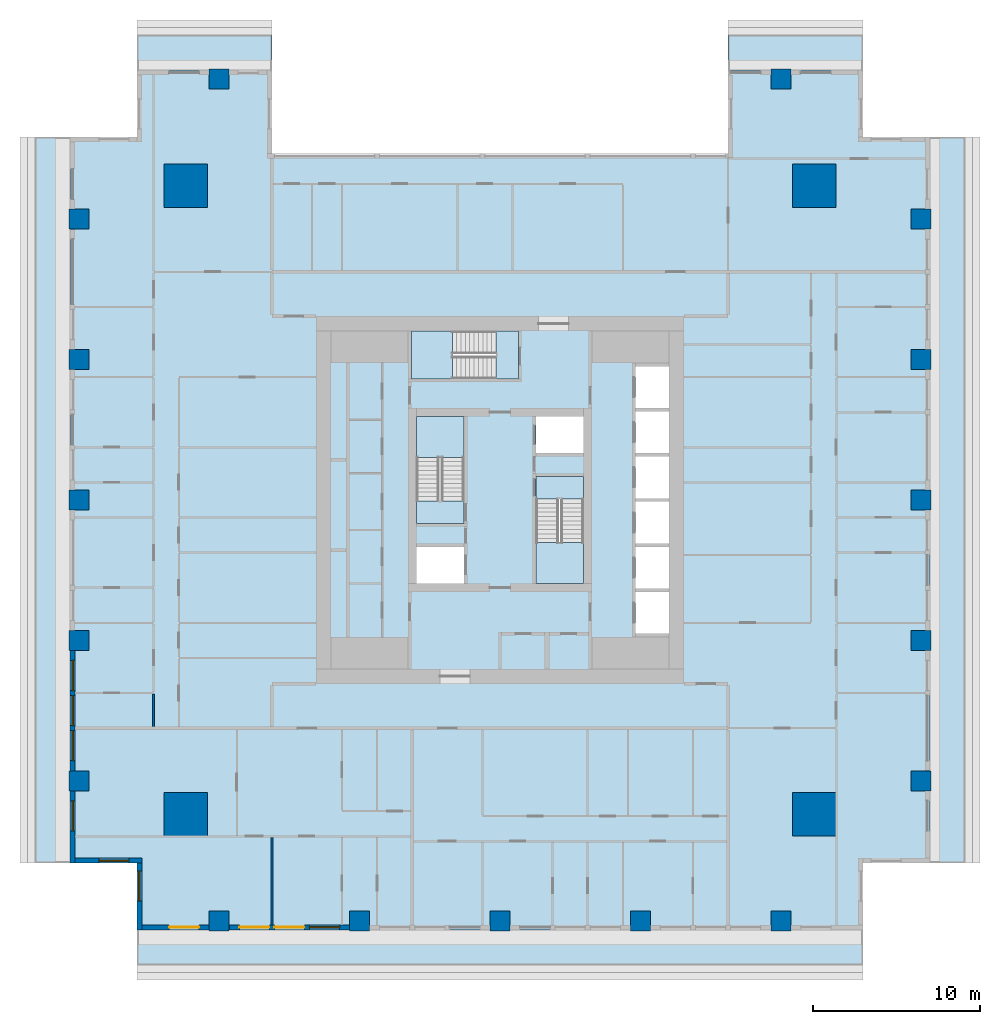
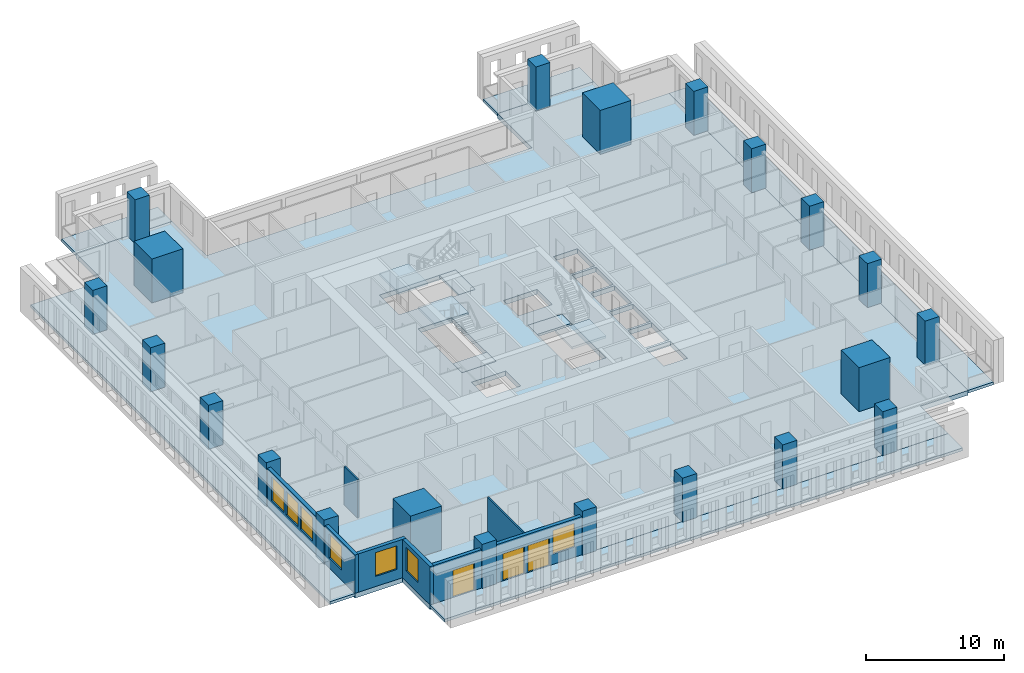
# One storey, part 1 of 16: 21 columns, 12 slabs, 8 walls, 7 windows, 3 doors, 10 openings, 3 elements without a shape of their own.
"""IFC4 building model written with IfcOpenShell, lengths in metres."""

from ifc_helpers import new_model, si_unit, direction, frame, frame_2d, origin, origin_2d, place, context, subcontext, project, spatial, polyline, rectangle, outline, extrude, material, layer, layer_set, material_profile, profile_set, type_object, element, fill, aggregate, save


model = new_model("IFC4")

# Units and contexts
model_context = context("Model", 3, precision=1e-05, world=origin(), true_north=direction((0.0, 1.0)))
body_context = subcontext(model_context, "Body", "Model", "MODEL_VIEW")
ifc_project = project(units=[si_unit("LENGTHUNIT", "METRE"), si_unit("AREAUNIT", "SQUARE_METRE"), si_unit("VOLUMEUNIT", "CUBIC_METRE"), si_unit("PLANEANGLEUNIT", "RADIAN"), si_unit("MASSUNIT", "GRAM", prefix="KILO")], contexts=[model_context])

# Site, building, storey
site_placement = place(None, origin())
site = spatial("IfcSite", under=ifc_project, at=site_placement, CompositionType="ELEMENT")
building_placement = place(site_placement, origin())
building = spatial("IfcBuilding", under=site, at=building_placement, Name="Khepri Terraces", CompositionType="ELEMENT")
storey_placement = place(building_placement, frame((0.0, 0.0, 176.699951171875)))
storey = spatial("IfcBuildingStorey", under=building, at=storey_placement, Name="L42", CompositionType="ELEMENT", Elevation=176.699951171875)

# Columns
ifc_material_1 = material(Name="Concrete C60/75", Category="concrete")
ifc_material_profile_1 = material_profile(ifc_material_1, rectangle(XDim=2.60009765625, YDim=2.60009765625, at=origin_2d()), Name="Concrete C60/75", Category="concrete")
ifc_profile_set_1 = profile_set([ifc_material_profile_1], Name="Concrete C60/75")
column_type_1 = type_object("IfcColumnType", Name="Mega column RC 2600x2600 C60/75", PredefinedType="COLUMN", material=ifc_profile_set_1)
for number, where, z_axis, x_axis, name in (
    (1, (18.800048828125, 18.800048828125, 0.0), (0.0, 0.0, 1.0), (1.0, 0.0, 0.0), "Mega column MEN L42"),
    (2, (18.800048828125, -18.800048828125, 0.0), (0.0, 0.0, 1.0), (1.0, 0.0, 0.0), "Mega column MES L42"),
    (3, (-18.800048828125, 18.800048828125, 0.0), (0.0, 0.0, 1.0), (1.0, 0.0, 0.0), "Mega column MWN L42"),
    (4, (-18.800048828125, -18.800048828125, 0.0), (0.0, 0.0, 1.0), (1.0, 0.0, 0.0), "Mega column MWS L42"),
):
    element("IfcColumn", number, at=place(storey_placement, frame(where, z_axis=z_axis, x_axis=x_axis)), inside=storey, type_object=column_type_1, Name=name, PredefinedType="COLUMN", context=body_context, shape_type="SweptSolid", body=[
        extrude(rectangle(XDim=2.60009765625, YDim=2.60009765625, at=origin_2d()), origin(), (0.0, 0.0, 1.0), 3.900146484375),
    ])
ifc_material_profile_2 = material_profile(ifc_material_1, rectangle(XDim=1.199951171875, YDim=1.199951171875, at=origin_2d()), Name="Concrete C60/75", Category="concrete")
ifc_profile_set_2 = profile_set([ifc_material_profile_2], Name="Concrete C60/75")
column_type_2 = type_object("IfcColumnType", Name="Tower column RC 1200x1200 C60/75", PredefinedType="COLUMN", material=ifc_profile_set_2)
for number, where, z_axis, x_axis, name in (
    (5, (25.199951171875, 0.0, 0.0), (0.0, 0.0, 1.0), (1.0, 0.0, 0.0), "Perimeter column PE+000a L42"),
    (6, (25.199951171875, 8.39990234375, 0.0), (0.0, 0.0, 1.0), (1.0, 0.0, 0.0), "Perimeter column PE+084a L42"),
    (7, (25.199951171875, 16.800048828125, 0.0), (0.0, 0.0, 1.0), (1.0, 0.0, 0.0), "Perimeter column PE+168a L42"),
    (8, (25.199951171875, -8.39990234375, 0.0), (0.0, 0.0, 1.0), (1.0, 0.0, 0.0), "Perimeter column PE-084a L42"),
    (9, (25.199951171875, -16.800048828125, 0.0), (0.0, 0.0, 1.0), (1.0, 0.0, 0.0), "Perimeter column PE-168a L42"),
    (10, (-16.800048828125, 25.199951171875, 0.0), (0.0, 0.0, 1.0), (1.0, 0.0, 0.0), "Perimeter column PN+168a L42"),
    (11, (16.800048828125, 25.199951171875, 0.0), (0.0, 0.0, 1.0), (1.0, 0.0, 0.0), "Perimeter column PN-168a L42"),
    (12, (0.0, -25.199951171875, 0.0), (0.0, 0.0, 1.0), (1.0, 0.0, 0.0), "Perimeter column PS+000b L42"),
    (13, (8.39990234375, -25.199951171875, 0.0), (0.0, 0.0, 1.0), (1.0, 0.0, 0.0), "Perimeter column PS+084b L42"),
    (14, (16.800048828125, -25.199951171875, 0.0), (0.0, 0.0, 1.0), (1.0, 0.0, 0.0), "Perimeter column PS+168a L42"),
    (15, (-8.39990234375, -25.199951171875, 0.0), (0.0, 0.0, 1.0), (1.0, 0.0, 0.0), "Perimeter column PS-084b L42"),
    (16, (-16.800048828125, -25.199951171875, 0.0), (0.0, 0.0, 1.0), (1.0, 0.0, 0.0), "Perimeter column PS-168a L42"),
    (17, (-25.199951171875, 0.0, 0.0), (0.0, 0.0, 1.0), (1.0, 0.0, 0.0), "Perimeter column PW+000b L42"),
    (18, (-25.199951171875, -8.39990234375, 0.0), (0.0, 0.0, 1.0), (1.0, 0.0, 0.0), "Perimeter column PW+084b L42"),
    (19, (-25.199951171875, -16.800048828125, 0.0), (0.0, 0.0, 1.0), (1.0, 0.0, 0.0), "Perimeter column PW+168a L42"),
    (20, (-25.199951171875, 8.39990234375, 0.0), (0.0, 0.0, 1.0), (1.0, 0.0, 0.0), "Perimeter column PW-084b L42"),
    (21, (-25.199951171875, 16.800048828125, 0.0), (0.0, 0.0, 1.0), (1.0, 0.0, 0.0), "Perimeter column PW-168a L42"),
):
    element("IfcColumn", number, at=place(storey_placement, frame(where, z_axis=z_axis, x_axis=x_axis)), inside=storey, type_object=column_type_2, Name=name, PredefinedType="COLUMN", context=body_context, shape_type="SweptSolid", body=[
        extrude(rectangle(XDim=1.199951171875, YDim=1.199951171875, at=origin_2d()), origin(), (0.0, 0.0, 1.0), 3.900146484375),
    ])

# Slabs
ifc_material_2 = material(Name="Concrete C40/50", Category="concrete")
ifc_layer_1 = layer(ifc_material_2, 0.419921875, Name="Concrete C40/50", Category="concrete")
ifc_layer_set_1 = layer_set([ifc_layer_1], Name="Concrete C40/50")
slab_type_1 = type_object("IfcSlabType", Name="Flat plate 420", PredefinedType="FLOOR", material=ifc_layer_set_1)
slab_1_placement = place(storey_placement, frame((0.0, 0.0, -0.419921875)))
element("IfcSlab", 22, at=slab_1_placement, inside=storey, type_object=slab_type_1, Name="Floor slab F01 L42", PredefinedType="FLOOR", context=body_context, shape_type="SweptSolid", body=[
    extrude(outline(polyline([(13.64990234375, 25.719970703125), (21.719970703125, 25.719970703125), (21.719970703125, 21.719970703125), (25.719970703125, 21.719970703125), (25.719970703125, -21.719970703125), (21.719970703125, -21.719970703125), (21.719970703125, -25.719970703125), (-21.719970703125, -25.719970703125), (-21.719970703125, -21.719970703125), (-25.719970703125, -21.719970703125), (-25.719970703125, 21.719970703125), (-21.719970703125, 21.719970703125), (-21.719970703125, 25.719970703125), (-13.64990234375, 25.719970703125), (-13.64990234375, 20.719970703125), (13.64990234375, 20.719970703125), (13.64990234375, 25.719970703125)]), holes=[polyline([(2.14990234375, 2.800048828125), (5.0, 2.800048828125), (5.0, 5.0), (2.14990234375, 5.0), (2.14990234375, 2.800048828125)]), polyline([(-5.0, -2.800048828125), (-5.0, -5.0), (-2.14990234375, -5.0), (-2.14990234375, -2.800048828125), (-5.0, -2.800048828125)]), polyline([(10.10009765625, -5.5), (8.10009765625, -5.5), (8.10009765625, -8.0), (10.10009765625, -8.0), (10.10009765625, -5.5)]), polyline([(10.10009765625, -5.300048828125), (10.10009765625, -2.800048828125), (8.10009765625, -2.800048828125), (8.10009765625, -5.300048828125), (10.10009765625, -5.300048828125)]), polyline([(8.10009765625, -2.60009765625), (10.10009765625, -2.60009765625), (10.10009765625, -0.10009765625), (8.10009765625, -0.10009765625), (8.10009765625, -2.60009765625)]), polyline([(8.10009765625, 2.60009765625), (8.10009765625, 0.10009765625), (10.10009765625, 0.10009765625), (10.10009765625, 2.60009765625), (8.10009765625, 2.60009765625)]), polyline([(10.10009765625, 5.300048828125), (8.10009765625, 5.300048828125), (8.10009765625, 2.800048828125), (10.10009765625, 2.800048828125), (10.10009765625, 5.300048828125)]), polyline([(10.10009765625, 5.5), (10.10009765625, 8.0), (8.10009765625, 8.0), (8.10009765625, 5.5), (10.10009765625, 5.5)]), polyline([(-5.0, -1.39990234375), (-2.14990234375, -1.39990234375), (-2.14990234375, 5.0), (-5.0, 5.0), (-5.0, -1.39990234375)]), polyline([(5.0, -5.0), (5.0, 1.39990234375), (2.14990234375, 1.39990234375), (2.14990234375, -5.0), (5.0, -5.0)]), polyline([(-5.300048828125, 10.10009765625), (-5.300048828125, 7.25), (1.10009765625, 7.25), (1.10009765625, 10.10009765625), (-5.300048828125, 10.10009765625)])]), origin(), (0.0, 0.0, 1.0), 0.419921875),
])
ifc_material_3 = material(Name="Precast concrete C50/60 warm stone", Category="masonry")
ifc_layer_2 = layer(ifc_material_3, 0.25, Name="Precast concrete C50/60 warm stone", Category="masonry")
ifc_layer_set_2 = layer_set([ifc_layer_2], Name="Precast concrete C50/60 warm stone")
slab_type_2 = type_object("IfcSlabType", Name="SLB-BALCONY-250", PredefinedType="FLOOR", material=ifc_layer_set_2)
slab_2_placement = place(storey_placement, frame((0.0, 0.0, -0.25)))
element("IfcSlab", 23, at=slab_2_placement, inside=storey, type_object=slab_type_2, Name="Balcony slab L42 S", PredefinedType="FLOOR", context=body_context, shape_type="SweptSolid", body=[
    extrude(outline(polyline([(-17.39990234375, -25.719970703125), (-21.719970703125, -25.719970703125), (-21.719970703125, -27.820068359375), (21.719970703125, -27.820068359375), (21.719970703125, -25.719970703125), (17.39990234375, -25.719970703125), (17.39990234375, -25.800048828125), (16.199951171875, -25.800048828125), (16.199951171875, -25.719970703125), (9.0, -25.719970703125), (9.0, -25.800048828125), (7.800048828125, -25.800048828125), (7.800048828125, -25.719970703125), (0.60009765625, -25.719970703125), (0.60009765625, -25.800048828125), (-0.60009765625, -25.800048828125), (-0.60009765625, -25.719970703125), (-7.800048828125, -25.719970703125), (-7.800048828125, -25.800048828125), (-9.0, -25.800048828125), (-9.0, -25.719970703125), (-16.199951171875, -25.719970703125), (-16.199951171875, -25.800048828125), (-17.39990234375, -25.800048828125), (-17.39990234375, -25.719970703125)])), origin(), (0.0, 0.0, 1.0), 0.25),
])
slab_3_placement = place(storey_placement, frame((0.0, 0.0, -0.25)))
element("IfcSlab", 24, at=slab_3_placement, inside=storey, type_object=slab_type_2, Name="Balcony slab L42 E", PredefinedType="FLOOR", context=body_context, shape_type="SweptSolid", body=[
    extrude(outline(polyline([(25.719970703125, -17.39990234375), (25.719970703125, -21.719970703125), (27.820068359375, -21.719970703125), (27.820068359375, 21.719970703125), (25.719970703125, 21.719970703125), (25.719970703125, 17.39990234375), (25.800048828125, 17.39990234375), (25.800048828125, 16.199951171875), (25.719970703125, 16.199951171875), (25.719970703125, 9.0), (25.800048828125, 9.0), (25.800048828125, 7.800048828125), (25.719970703125, 7.800048828125), (25.719970703125, 0.60009765625), (25.800048828125, 0.60009765625), (25.800048828125, -0.60009765625), (25.719970703125, -0.60009765625), (25.719970703125, -7.800048828125), (25.800048828125, -7.800048828125), (25.800048828125, -9.0), (25.719970703125, -9.0), (25.719970703125, -16.199951171875), (25.800048828125, -16.199951171875), (25.800048828125, -17.39990234375), (25.719970703125, -17.39990234375)])), origin(), (0.0, 0.0, 1.0), 0.25),
])
slab_4_placement = place(storey_placement, frame((0.0, 0.0, -0.25)))
element("IfcSlab", 25, at=slab_4_placement, inside=storey, type_object=slab_type_2, Name="Balcony slab L42 N", PredefinedType="FLOOR", context=body_context, shape_type="SweptSolid", body=[
    extrude(outline(polyline([(17.39990234375, 25.719970703125), (21.719970703125, 25.719970703125), (21.719970703125, 27.820068359375), (13.64990234375, 27.820068359375), (13.64990234375, 25.719970703125), (16.199951171875, 25.719970703125), (16.199951171875, 25.800048828125), (17.39990234375, 25.800048828125), (17.39990234375, 25.719970703125)])), origin(), (0.0, 0.0, 1.0), 0.25),
])
slab_5_placement = place(storey_placement, frame((0.0, 0.0, -0.25)))
element("IfcSlab", 26, at=slab_5_placement, inside=storey, type_object=slab_type_2, Name="Balcony slab L42 N", PredefinedType="FLOOR", context=body_context, shape_type="SweptSolid", body=[
    extrude(outline(polyline([(-16.199951171875, 25.719970703125), (-13.64990234375, 25.719970703125), (-13.64990234375, 27.820068359375), (-21.719970703125, 27.820068359375), (-21.719970703125, 25.719970703125), (-17.39990234375, 25.719970703125), (-17.39990234375, 25.800048828125), (-16.199951171875, 25.800048828125), (-16.199951171875, 25.719970703125)])), origin(), (0.0, 0.0, 1.0), 0.25),
])
slab_6_placement = place(storey_placement, frame((0.0, 0.0, -0.25)))
element("IfcSlab", 27, at=slab_6_placement, inside=storey, type_object=slab_type_2, Name="Balcony slab L42 W", PredefinedType="FLOOR", context=body_context, shape_type="SweptSolid", body=[
    extrude(outline(polyline([(-25.719970703125, 17.39990234375), (-25.719970703125, 21.719970703125), (-27.820068359375, 21.719970703125), (-27.820068359375, -21.719970703125), (-25.719970703125, -21.719970703125), (-25.719970703125, -17.39990234375), (-25.800048828125, -17.39990234375), (-25.800048828125, -16.199951171875), (-25.719970703125, -16.199951171875), (-25.719970703125, -9.0), (-25.800048828125, -9.0), (-25.800048828125, -7.800048828125), (-25.719970703125, -7.800048828125), (-25.719970703125, -0.60009765625), (-25.800048828125, -0.60009765625), (-25.800048828125, 0.60009765625), (-25.719970703125, 0.60009765625), (-25.719970703125, 7.800048828125), (-25.800048828125, 7.800048828125), (-25.800048828125, 9.0), (-25.719970703125, 9.0), (-25.719970703125, 16.199951171875), (-25.800048828125, 16.199951171875), (-25.800048828125, 17.39990234375), (-25.719970703125, 17.39990234375)])), origin(), (0.0, 0.0, 1.0), 0.25),
])

# Stair, slabs
stair_type = type_object("IfcStairType", Name="STAIR-RC-22R", PredefinedType="HALF_TURN_STAIR", material=ifc_material_2)
stair_1_placement = place(storey_placement, origin())
stair_1 = element("IfcStair", 28, at=stair_1_placement, inside=storey, type_object=stair_type, Name="L42 Exit Stair ST-1", PredefinedType="HALF_TURN_STAIR")
ifc_layer_3 = layer(ifc_material_2, 0.199951171875, Name="Concrete C40/50", Category="concrete")
ifc_layer_set_3 = layer_set([ifc_layer_3], Name="Concrete C40/50")
slab_type_3 = type_object("IfcSlabType", Name="SLB-CORE-LANDING", PredefinedType="LANDING", material=ifc_layer_set_3)
slab_7_placement = place(storey_placement, frame((0.0, 0.0, -0.199951171875)))
slab_7 = element("IfcSlab", 29, at=slab_7_placement, type_object=slab_type_3, Name="ST-1 landing 1", PredefinedType="LANDING", context=body_context, shape_type="SweptSolid", body=[
    extrude(outline(polyline([(-2.14990234375, -1.39990234375), (-2.14990234375, -0.050048828125), (-5.0, -0.050048828125), (-5.0, -1.39990234375), (-2.14990234375, -1.39990234375)])), origin(), (0.0, 0.0, 1.0), 0.199951171875),
])
slab_8_placement = place(storey_placement, frame((0.0, 0.0, 1.75)))
slab_8 = element("IfcSlab", 30, at=slab_8_placement, type_object=slab_type_3, Name="ST-1 landing 2", PredefinedType="LANDING", context=body_context, shape_type="SweptSolid", body=[
    extrude(outline(polyline([(-2.14990234375, 2.550048828125), (-2.14990234375, 5.0), (-5.0, 5.0), (-5.0, 2.550048828125), (-2.14990234375, 2.550048828125)])), origin(), (0.0, 0.0, 1.0), 0.199951171875),
])
aggregate(stair_1, [slab_7, slab_8])

stair_2_placement = place(storey_placement, origin())
stair_2 = element("IfcStair", 31, at=stair_2_placement, inside=storey, type_object=stair_type, Name="L42 Exit Stair ST-2", PredefinedType="HALF_TURN_STAIR")
slab_9_placement = place(storey_placement, frame((0.0, 0.0, -0.199951171875)))
slab_9 = element("IfcSlab", 32, at=slab_9_placement, type_object=slab_type_3, Name="ST-2 landing 1", PredefinedType="LANDING", context=body_context, shape_type="SweptSolid", body=[
    extrude(outline(polyline([(2.14990234375, 1.39990234375), (2.14990234375, 0.050048828125), (5.0, 0.050048828125), (5.0, 1.39990234375), (2.14990234375, 1.39990234375)])), origin(), (0.0, 0.0, 1.0), 0.199951171875),
])
slab_10_placement = place(storey_placement, frame((0.0, 0.0, 1.75)))
slab_10 = element("IfcSlab", 33, at=slab_10_placement, type_object=slab_type_3, Name="ST-2 landing 2", PredefinedType="LANDING", context=body_context, shape_type="SweptSolid", body=[
    extrude(outline(polyline([(2.14990234375, -2.550048828125), (2.14990234375, -5.0), (5.0, -5.0), (5.0, -2.550048828125), (2.14990234375, -2.550048828125)])), origin(), (0.0, 0.0, 1.0), 0.199951171875),
])
aggregate(stair_2, [slab_9, slab_10])

stair_3_placement = place(storey_placement, origin())
stair_3 = element("IfcStair", 34, at=stair_3_placement, inside=storey, type_object=stair_type, Name="L42 Exit Stair ST-3", PredefinedType="HALF_TURN_STAIR")
slab_11_placement = place(storey_placement, frame((0.0, 0.0, -0.199951171875)))
slab_11 = element("IfcSlab", 35, at=slab_11_placement, type_object=slab_type_3, Name="ST-3 landing 1", PredefinedType="LANDING", context=body_context, shape_type="SweptSolid", body=[
    extrude(outline(polyline([(1.10009765625, 10.10009765625), (-0.25, 10.10009765625), (-0.25, 7.25), (1.10009765625, 7.25), (1.10009765625, 10.10009765625)])), origin(), (0.0, 0.0, 1.0), 0.199951171875),
])
slab_12_placement = place(storey_placement, frame((0.0, 0.0, 1.75)))
slab_12 = element("IfcSlab", 36, at=slab_12_placement, type_object=slab_type_3, Name="ST-3 landing 2", PredefinedType="LANDING", context=body_context, shape_type="SweptSolid", body=[
    extrude(outline(polyline([(-2.85009765625, 10.10009765625), (-5.300048828125, 10.10009765625), (-5.300048828125, 7.25), (-2.85009765625, 7.25), (-2.85009765625, 10.10009765625)])), origin(), (0.0, 0.0, 1.0), 0.199951171875),
])
aggregate(stair_3, [slab_11, slab_12])

# Wall, openings, windows
ifc_layer_4 = layer(ifc_material_3, 0.300048828125, Name="Precast concrete C50/60 warm stone", Category="masonry")
ifc_layer_set_4 = layer_set([ifc_layer_4], Name="Precast concrete C50/60 warm stone")
wall_type_1 = type_object("IfcWallType", Name="WL-EXT-PRECAST-300", PredefinedType="STANDARD", material=ifc_layer_set_4)
wall_1_placement = place(storey_placement, frame((-25.570068359375, -9.0, 0.0), z_axis=(0.0, 0.0, 1.0), x_axis=(0.0, -1.0, 0.0)))
wall_1 = element("IfcWall", 37, at=wall_1_placement, inside=storey, type_object=wall_type_1, Name="External wall L42 W", PredefinedType="STANDARD", context=body_context, shape_type="SweptSolid", body=[
    extrude(rectangle(XDim=7.199951171875, YDim=0.300048828125, at=frame_2d((3.60009765625, 0.0))), origin(), (0.0, 0.0, 1.0), 3.400146484375),
])
opening_1_placement = place(wall_1_placement, frame((0.60009765625, 0.0, 0.89990234375)))
opening_1 = element("IfcOpeningElement", 38, at=opening_1_placement, cuts=wall_1, Name="Opening W1", PredefinedType="OPENING", context=body_context, shape_type="SweptSolid", body=[
    extrude(rectangle(XDim=1.800048828125, YDim=2.10009765625, at=frame_2d((0.89990234375, 1.050048828125))), frame((0.0, 0.16015625, 0.0), z_axis=(0.0, -1.0, 0.0), x_axis=(1.0, 0.0, 0.0)), (0.0, 0.0, 1.0), 0.320068359375),
])
opening_2_placement = place(wall_1_placement, frame((2.699951171875, 0.0, 0.89990234375)))
opening_2 = element("IfcOpeningElement", 39, at=opening_2_placement, cuts=wall_1, Name="Opening W1", PredefinedType="OPENING", context=body_context, shape_type="SweptSolid", body=[
    extrude(rectangle(XDim=1.800048828125, YDim=2.10009765625, at=frame_2d((0.89990234375, 1.050048828125))), frame((0.0, 0.16015625, 0.0), z_axis=(0.0, -1.0, 0.0), x_axis=(1.0, 0.0, 0.0)), (0.0, 0.0, 1.0), 0.320068359375),
])
opening_3_placement = place(wall_1_placement, frame((4.800048828125, 0.0, 0.89990234375)))
opening_3 = element("IfcOpeningElement", 40, at=opening_3_placement, cuts=wall_1, Name="Opening W1", PredefinedType="OPENING", context=body_context, shape_type="SweptSolid", body=[
    extrude(rectangle(XDim=1.800048828125, YDim=2.10009765625, at=frame_2d((0.89990234375, 1.050048828125))), frame((0.0, 0.16015625, 0.0), z_axis=(0.0, -1.0, 0.0), x_axis=(1.0, 0.0, 0.0)), (0.0, 0.0, 1.0), 0.320068359375),
])
ifc_material_4 = material(Name="Clear glass", Category="glass")
window_type = type_object("IfcWindowType", Name="WIN-RES-1800x2100", PartitioningType="SINGLE_PANEL", PredefinedType="WINDOW", material=ifc_material_4)
window_1_placement = place(opening_1_placement, origin())
window_1 = element("IfcWindow", 41, at=window_1_placement, inside=storey, type_object=window_type, Name="Window L42 W", OverallHeight=2.10009765625, OverallWidth=1.800048828125, PartitioningType="SINGLE_PANEL", PredefinedType="WINDOW", context=body_context, shape_type="SweptSolid", body=[
    extrude(rectangle(XDim=1.800048828125, YDim=2.10009765625, at=frame_2d((0.89990234375, 1.050048828125))), frame((0.0, 0.030029296875, 0.0), z_axis=(0.0, -1.0, 0.0), x_axis=(1.0, 0.0, 0.0)), (0.0, 0.0, 1.0), 0.06005859375),
])
fill(opening_1, window_1)
window_2_placement = place(opening_2_placement, origin())
window_2 = element("IfcWindow", 42, at=window_2_placement, inside=storey, type_object=window_type, Name="Window L42 W", OverallHeight=2.10009765625, OverallWidth=1.800048828125, PartitioningType="SINGLE_PANEL", PredefinedType="WINDOW", context=body_context, shape_type="SweptSolid", body=[
    extrude(rectangle(XDim=1.800048828125, YDim=2.10009765625, at=frame_2d((0.89990234375, 1.050048828125))), frame((0.0, 0.030029296875, 0.0), z_axis=(0.0, -1.0, 0.0), x_axis=(1.0, 0.0, 0.0)), (0.0, 0.0, 1.0), 0.06005859375),
])
fill(opening_2, window_2)
window_3_placement = place(opening_3_placement, origin())
window_3 = element("IfcWindow", 43, at=window_3_placement, inside=storey, type_object=window_type, Name="Window L42 W", OverallHeight=2.10009765625, OverallWidth=1.800048828125, PartitioningType="SINGLE_PANEL", PredefinedType="WINDOW", context=body_context, shape_type="SweptSolid", body=[
    extrude(rectangle(XDim=1.800048828125, YDim=2.10009765625, at=frame_2d((0.89990234375, 1.050048828125))), frame((0.0, 0.030029296875, 0.0), z_axis=(0.0, -1.0, 0.0), x_axis=(1.0, 0.0, 0.0)), (0.0, 0.0, 1.0), 0.06005859375),
])
fill(opening_3, window_3)

# Wall, opening, window
wall_2_placement = place(storey_placement, frame((-25.570068359375, -17.39990234375, 0.0), z_axis=(0.0, 0.0, 1.0), x_axis=(0.0, -1.0, 0.0)))
wall_2 = element("IfcWall", 44, at=wall_2_placement, inside=storey, type_object=wall_type_1, Name="External wall L42 W", PredefinedType="STANDARD", context=body_context, shape_type="SweptSolid", body=[
    extrude(rectangle(XDim=4.320068359375, YDim=0.300048828125, at=frame_2d((2.16015625, 0.0))), origin(), (0.0, 0.0, 1.0), 3.400146484375),
])
opening_4_placement = place(wall_2_placement, frame((0.60009765625, 0.0, 0.89990234375)))
opening_4 = element("IfcOpeningElement", 45, at=opening_4_placement, cuts=wall_2, Name="Opening W1", PredefinedType="OPENING", context=body_context, shape_type="SweptSolid", body=[
    extrude(rectangle(XDim=1.800048828125, YDim=2.10009765625, at=frame_2d((0.89990234375, 1.050048828125))), frame((0.0, 0.16015625, 0.0), z_axis=(0.0, -1.0, 0.0), x_axis=(1.0, 0.0, 0.0)), (0.0, 0.0, 1.0), 0.320068359375),
])
window_4_placement = place(opening_4_placement, origin())
window_4 = element("IfcWindow", 46, at=window_4_placement, inside=storey, type_object=window_type, Name="Window L42 W", OverallHeight=2.10009765625, OverallWidth=1.800048828125, PartitioningType="SINGLE_PANEL", PredefinedType="WINDOW", context=body_context, shape_type="SweptSolid", body=[
    extrude(rectangle(XDim=1.800048828125, YDim=2.10009765625, at=frame_2d((0.89990234375, 1.050048828125))), frame((0.0, 0.030029296875, 0.0), z_axis=(0.0, -1.0, 0.0), x_axis=(1.0, 0.0, 0.0)), (0.0, 0.0, 1.0), 0.06005859375),
])
fill(opening_4, window_4)

wall_3_placement = place(storey_placement, frame((-25.419921875, -21.570068359375, 0.0), z_axis=(0.0, 0.0, 1.0), x_axis=(1.0, 0.0, 0.0)))
wall_3 = element("IfcWall", 47, at=wall_3_placement, inside=storey, type_object=wall_type_1, Name="External wall L42 S", PredefinedType="STANDARD", context=body_context, shape_type="SweptSolid", body=[
    extrude(rectangle(XDim=4.0, YDim=0.300048828125, at=frame_2d((2.0, 0.0))), origin(), (0.0, 0.0, 1.0), 3.400146484375),
])
opening_5_placement = place(wall_3_placement, frame((1.419921875, 0.0, 0.89990234375)))
opening_5 = element("IfcOpeningElement", 48, at=opening_5_placement, cuts=wall_3, Name="Opening W1", PredefinedType="OPENING", context=body_context, shape_type="SweptSolid", body=[
    extrude(rectangle(XDim=1.800048828125, YDim=2.10009765625, at=frame_2d((0.89990234375, 1.050048828125))), frame((0.0, 0.16015625, 0.0), z_axis=(0.0, -1.0, 0.0), x_axis=(1.0, 0.0, 0.0)), (0.0, 0.0, 1.0), 0.320068359375),
])
window_5_placement = place(opening_5_placement, origin())
window_5 = element("IfcWindow", 49, at=window_5_placement, inside=storey, type_object=window_type, Name="Window L42 S", OverallHeight=2.10009765625, OverallWidth=1.800048828125, PartitioningType="SINGLE_PANEL", PredefinedType="WINDOW", context=body_context, shape_type="SweptSolid", body=[
    extrude(rectangle(XDim=1.800048828125, YDim=2.10009765625, at=frame_2d((0.89990234375, 1.050048828125))), frame((0.0, 0.030029296875, 0.0), z_axis=(0.0, -1.0, 0.0), x_axis=(1.0, 0.0, 0.0)), (0.0, 0.0, 1.0), 0.06005859375),
])
fill(opening_5, window_5)

wall_4_placement = place(storey_placement, frame((-21.570068359375, -21.719970703125, 0.0), z_axis=(0.0, 0.0, 1.0), x_axis=(0.0, -1.0, 0.0)))
wall_4 = element("IfcWall", 50, at=wall_4_placement, inside=storey, type_object=wall_type_1, Name="External wall L42 W", PredefinedType="STANDARD", context=body_context, shape_type="SweptSolid", body=[
    extrude(rectangle(XDim=4.0, YDim=0.300048828125, at=frame_2d((2.0, 0.0))), origin(), (0.0, 0.0, 1.0), 3.400146484375),
])
opening_6_placement = place(wall_4_placement, frame((0.47998046875, 0.0, 0.89990234375)))
opening_6 = element("IfcOpeningElement", 51, at=opening_6_placement, cuts=wall_4, Name="Opening W1", PredefinedType="OPENING", context=body_context, shape_type="SweptSolid", body=[
    extrude(rectangle(XDim=1.800048828125, YDim=2.10009765625, at=frame_2d((0.89990234375, 1.050048828125))), frame((0.0, 0.16015625, 0.0), z_axis=(0.0, -1.0, 0.0), x_axis=(1.0, 0.0, 0.0)), (0.0, 0.0, 1.0), 0.320068359375),
])
window_6_placement = place(opening_6_placement, origin())
window_6 = element("IfcWindow", 52, at=window_6_placement, inside=storey, type_object=window_type, Name="Window L42 W", OverallHeight=2.10009765625, OverallWidth=1.800048828125, PartitioningType="SINGLE_PANEL", PredefinedType="WINDOW", context=body_context, shape_type="SweptSolid", body=[
    extrude(rectangle(XDim=1.800048828125, YDim=2.10009765625, at=frame_2d((0.89990234375, 1.050048828125))), frame((0.0, 0.030029296875, 0.0), z_axis=(0.0, -1.0, 0.0), x_axis=(1.0, 0.0, 0.0)), (0.0, 0.0, 1.0), 0.06005859375),
])
fill(opening_6, window_6)

# Wall, opening, door
wall_5_placement = place(storey_placement, frame((-21.419921875, -25.570068359375, 0.0), z_axis=(0.0, 0.0, 1.0), x_axis=(1.0, 0.0, 0.0)))
wall_5 = element("IfcWall", 53, at=wall_5_placement, inside=storey, type_object=wall_type_1, Name="External wall L42 S", PredefinedType="STANDARD", context=body_context, shape_type="SweptSolid", body=[
    extrude(rectangle(XDim=4.02001953125, YDim=0.300048828125, at=frame_2d((2.010009765625, 0.0))), origin(), (0.0, 0.0, 1.0), 3.400146484375),
])
opening_7_placement = place(wall_5_placement, frame((1.6201171875, 0.0, 0.0)))
opening_7 = element("IfcOpeningElement", 54, at=opening_7_placement, cuts=wall_5, Name="Opening ED-L42-10", PredefinedType="OPENING", context=body_context, shape_type="SweptSolid", body=[
    extrude(rectangle(XDim=1.800048828125, YDim=2.39990234375, at=frame_2d((0.89990234375, 1.199951171875))), frame((0.0, 0.16015625, 0.0), z_axis=(0.0, -1.0, 0.0), x_axis=(1.0, 0.0, 0.0)), (0.0, 0.0, 1.0), 0.320068359375),
])
ifc_material_5 = material(Name="Anodised aluminium bronze glazed door", Category="aluminium")
door_type = type_object("IfcDoorType", Name="DR-BAL-SLIDE-1800x2400", OperationType="NOTDEFINED", PredefinedType="DOOR", material=ifc_material_5)
door_1_placement = place(opening_7_placement, origin())
door_1 = element("IfcDoor", 55, at=door_1_placement, inside=storey, type_object=door_type, Name="Balcony door L42 S", OperationType="SLIDING_TO_RIGHT", OverallHeight=2.39990234375, OverallWidth=1.800048828125, PredefinedType="DOOR", context=body_context, shape_type="SweptSolid", body=[
    extrude(rectangle(XDim=1.800048828125, YDim=2.39990234375, at=frame_2d((0.89990234375, 1.199951171875))), frame((0.0, 0.02490234375, 0.0), z_axis=(0.0, -1.0, 0.0), x_axis=(1.0, 0.0, 0.0)), (0.0, 0.0, 1.0), 0.050048828125),
])
fill(opening_7, door_1)

# Wall, openings, doors, window
wall_6_placement = place(storey_placement, frame((-16.199951171875, -25.570068359375, 0.0), z_axis=(0.0, 0.0, 1.0), x_axis=(1.0, 0.0, 0.0)))
wall_6 = element("IfcWall", 56, at=wall_6_placement, inside=storey, type_object=wall_type_1, Name="External wall L42 S", PredefinedType="STANDARD", context=body_context, shape_type="SweptSolid", body=[
    extrude(rectangle(XDim=7.199951171875, YDim=0.300048828125, at=frame_2d((3.60009765625, 0.0))), origin(), (0.0, 0.0, 1.0), 3.400146484375),
])
opening_8_placement = place(wall_6_placement, frame((0.60009765625, 0.0, 0.0)))
opening_8 = element("IfcOpeningElement", 57, at=opening_8_placement, cuts=wall_6, Name="Opening ED-L42-11", PredefinedType="OPENING", context=body_context, shape_type="SweptSolid", body=[
    extrude(rectangle(XDim=1.800048828125, YDim=2.39990234375, at=frame_2d((0.89990234375, 1.199951171875))), frame((0.0, 0.16015625, 0.0), z_axis=(0.0, -1.0, 0.0), x_axis=(1.0, 0.0, 0.0)), (0.0, 0.0, 1.0), 0.320068359375),
])
opening_9_placement = place(wall_6_placement, frame((2.699951171875, 0.0, 0.0)))
opening_9 = element("IfcOpeningElement", 58, at=opening_9_placement, cuts=wall_6, Name="Opening ED-L42-12", PredefinedType="OPENING", context=body_context, shape_type="SweptSolid", body=[
    extrude(rectangle(XDim=1.800048828125, YDim=2.39990234375, at=frame_2d((0.89990234375, 1.199951171875))), frame((0.0, 0.16015625, 0.0), z_axis=(0.0, -1.0, 0.0), x_axis=(1.0, 0.0, 0.0)), (0.0, 0.0, 1.0), 0.320068359375),
])
opening_10_placement = place(wall_6_placement, frame((4.800048828125, 0.0, 0.89990234375)))
opening_10 = element("IfcOpeningElement", 59, at=opening_10_placement, cuts=wall_6, Name="Opening W1", PredefinedType="OPENING", context=body_context, shape_type="SweptSolid", body=[
    extrude(rectangle(XDim=1.800048828125, YDim=2.10009765625, at=frame_2d((0.89990234375, 1.050048828125))), frame((0.0, 0.16015625, 0.0), z_axis=(0.0, -1.0, 0.0), x_axis=(1.0, 0.0, 0.0)), (0.0, 0.0, 1.0), 0.320068359375),
])
door_2_placement = place(opening_8_placement, origin())
door_2 = element("IfcDoor", 60, at=door_2_placement, inside=storey, type_object=door_type, Name="Balcony door L42 S", OperationType="SLIDING_TO_LEFT", OverallHeight=2.39990234375, OverallWidth=1.800048828125, PredefinedType="DOOR", context=body_context, shape_type="SweptSolid", body=[
    extrude(rectangle(XDim=1.800048828125, YDim=2.39990234375, at=frame_2d((0.89990234375, 1.199951171875))), frame((0.0, 0.02490234375, 0.0), z_axis=(0.0, -1.0, 0.0), x_axis=(1.0, 0.0, 0.0)), (0.0, 0.0, 1.0), 0.050048828125),
])
fill(opening_8, door_2)
door_3_placement = place(opening_9_placement, origin())
door_3 = element("IfcDoor", 61, at=door_3_placement, inside=storey, type_object=door_type, Name="Balcony door L42 S", OperationType="SLIDING_TO_RIGHT", OverallHeight=2.39990234375, OverallWidth=1.800048828125, PredefinedType="DOOR", context=body_context, shape_type="SweptSolid", body=[
    extrude(rectangle(XDim=1.800048828125, YDim=2.39990234375, at=frame_2d((0.89990234375, 1.199951171875))), frame((0.0, 0.02490234375, 0.0), z_axis=(0.0, -1.0, 0.0), x_axis=(1.0, 0.0, 0.0)), (0.0, 0.0, 1.0), 0.050048828125),
])
fill(opening_9, door_3)
window_7_placement = place(opening_10_placement, origin())
window_7 = element("IfcWindow", 62, at=window_7_placement, inside=storey, type_object=window_type, Name="Window L42 S", OverallHeight=2.10009765625, OverallWidth=1.800048828125, PartitioningType="SINGLE_PANEL", PredefinedType="WINDOW", context=body_context, shape_type="SweptSolid", body=[
    extrude(rectangle(XDim=1.800048828125, YDim=2.10009765625, at=frame_2d((0.89990234375, 1.050048828125))), frame((0.0, 0.030029296875, 0.0), z_axis=(0.0, -1.0, 0.0), x_axis=(1.0, 0.0, 0.0)), (0.0, 0.0, 1.0), 0.06005859375),
])
fill(opening_10, window_7)

# Walls
ifc_material_6 = material(Name="Gypsum plasterboard partition")
ifc_layer_5 = layer(ifc_material_6, 0.1201171875, Name="Gypsum plasterboard partition")
ifc_layer_set_5 = layer_set([ifc_layer_5], Name="Gypsum plasterboard partition")
wall_type_2 = type_object("IfcWallType", Name="WL-PART-120", PredefinedType="PARTITIONING", material=ifc_layer_set_5)
wall_7_placement = place(storey_placement, frame((-13.64990234375, -25.419921875, 0.0), z_axis=(0.0, 0.0, 1.0), x_axis=(0.0, 1.0, 0.0)))
element("IfcWall", 63, at=wall_7_placement, inside=storey, type_object=wall_type_2, Name="Partition P-001 L42", PredefinedType="PARTITIONING", context=body_context, shape_type="SweptSolid", body=[
    extrude(rectangle(XDim=5.239990234375, YDim=0.1201171875, at=frame_2d((2.6201171875, 0.0))), origin(), (0.0, 0.0, 1.0), 3.400146484375),
])
wall_8_placement = place(storey_placement, frame((-20.719970703125, -13.550048828125, 0.0), z_axis=(0.0, 0.0, 1.0), x_axis=(0.0, 1.0, 0.0)))
element("IfcWall", 64, at=wall_8_placement, inside=storey, type_object=wall_type_2, Name="Partition P-026 L42", PredefinedType="PARTITIONING", context=body_context, shape_type="SweptSolid", body=[
    extrude(rectangle(XDim=1.93994140625, YDim=0.1201171875, at=frame_2d((0.969970703125, 0.0))), origin(), (0.0, 0.0, 1.0), 3.400146484375),
])

save(model, "model.ifc")
